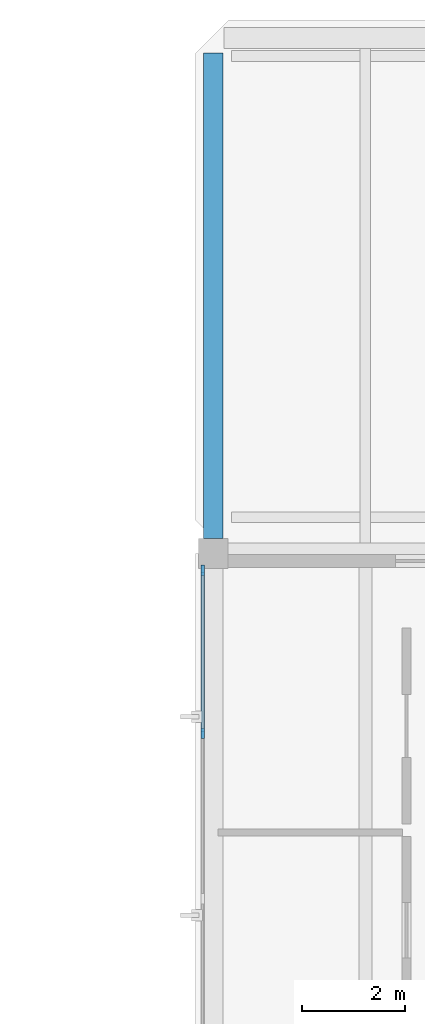
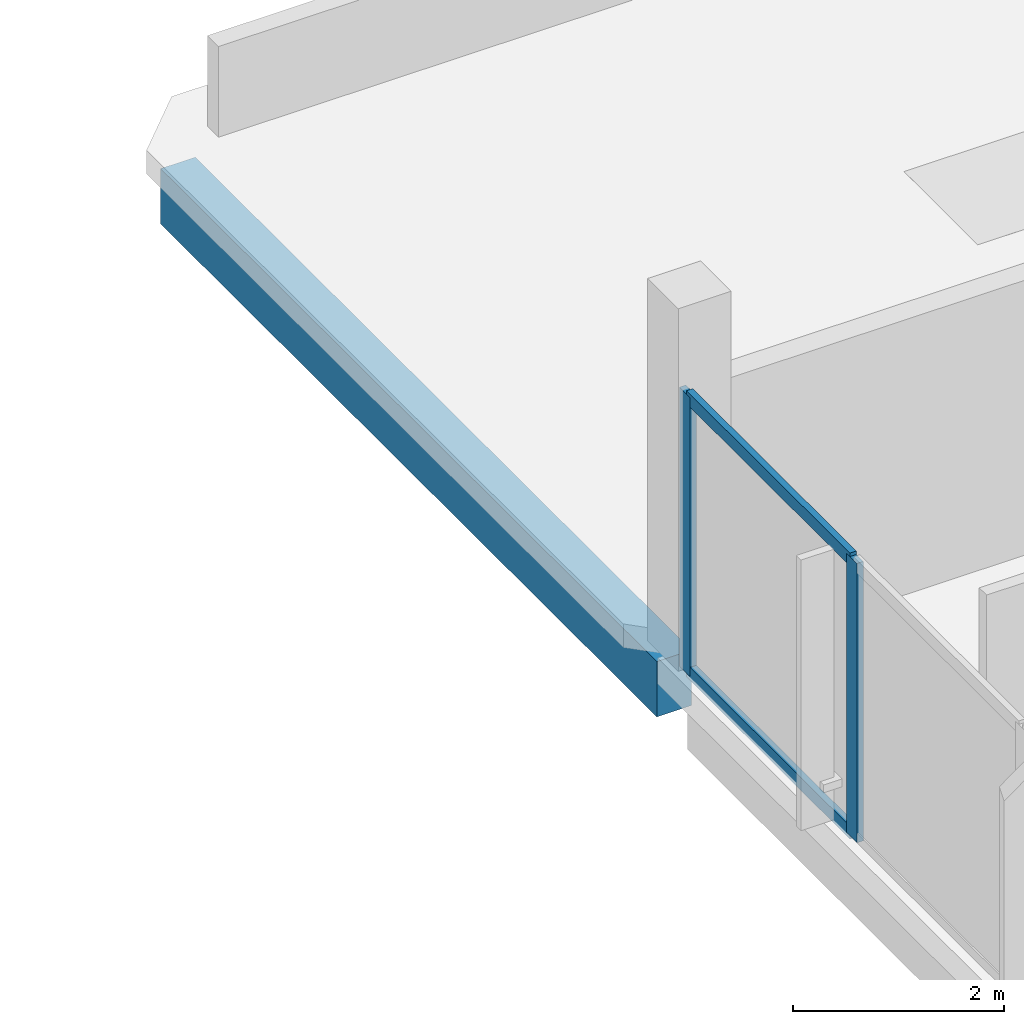
# One storey, part 23 of 66: 4 members, 1 beam, 1 element without a shape of its own.
"""IFC4 building model written with IfcOpenShell, lengths in metres."""

from ifc_helpers import new_model, si_unit, direction, frame, origin, origin_2d, place, context, subcontext, project, spatial, rectangle, extrude, material, layer, layer_set, material_profile, profile_set, type_object, element, aggregate, save


model = new_model("IFC4")

# Units and contexts
model_context = context("Model", 3, precision=1e-05, world=origin(), true_north=direction((0.0, 1.0)))
body_context = subcontext(model_context, "Body", "Model", "MODEL_VIEW")
ifc_project = project(units=[si_unit("LENGTHUNIT", "METRE"), si_unit("AREAUNIT", "SQUARE_METRE"), si_unit("VOLUMEUNIT", "CUBIC_METRE"), si_unit("PLANEANGLEUNIT", "RADIAN"), si_unit("MASSUNIT", "GRAM", prefix="KILO")], contexts=[model_context])

# Site, building, storey
site_placement = place(None, origin())
site = spatial("IfcSite", under=ifc_project, at=site_placement, CompositionType="ELEMENT")
building_placement = place(site_placement, origin())
building = spatial("IfcBuilding", under=site, at=building_placement, Name="Birchvale Park Specialist Clinic", CompositionType="ELEMENT")
storey_placement = place(building_placement, frame((0.0, 0.0, 5.39990234375)))
storey = spatial("IfcBuildingStorey", under=building, at=storey_placement, Name="L01", CompositionType="ELEMENT", Elevation=5.39990234375)

# Beam
ifc_material_1 = material(Name="Concrete C40/50", Category="concrete")
ifc_material_profile_1 = material_profile(ifc_material_1, rectangle(XDim=0.3798828125, YDim=0.639892578125, at=origin_2d()), Name="RCB-380x640")
ifc_profile_set_1 = profile_set([ifc_material_profile_1], Name="Concrete C40/50")
beam_type = type_object("IfcBeamType", Name="BM-EXT-BG5", PredefinedType="BEAM", material=ifc_profile_set_1)
beam_placement = place(storey_placement, frame((128.35009765625, 101.68994140625, -0.594970703125), z_axis=(0.0, 1.0, 0.0), x_axis=(-1.0, 0.0, 0.0)))
element("IfcBeam", 1, at=beam_placement, inside=storey, type_object=beam_type, Name="V6 L01 Y girder 29", PredefinedType="BEAM", context=body_context, shape_type="SweptSolid", body=[
    extrude(rectangle(XDim=0.3798828125, YDim=0.639892578125, at=origin_2d()), origin(), (0.0, 0.0, 1.0), 9.420166015625),
])

# Curtain wall, members
ifc_material_2 = material(Name="Thermally broken anodised aluminium", Category="aluminium")
ifc_layer = layer(ifc_material_2, 0.2099609375)
ifc_layer_set = layer_set([ifc_layer], Name="Thermally broken anodised aluminium")
curtain_wall_type = type_object("IfcCurtainWallType", Name="CW-U3", PredefinedType="USERDEFINED", material=ifc_layer_set)
curtain_wall_placement = place(storey_placement, origin())
curtain_wall = element("IfcCurtainWall", 2, at=curtain_wall_placement, inside=storey, type_object=curtain_wall_type, Name="V6 L01 glazed curtain wall 100", ObjectType="UNITISED", PredefinedType="USERDEFINED")
ifc_material_profile_2 = material_profile(ifc_material_2, rectangle(XDim=0.070068359375, YDim=0.199951171875, at=origin_2d()), Name="CWM-70x200")
ifc_profile_set_2 = profile_set([ifc_material_profile_2], Name="Thermally broken anodised aluminium")
member_type_1 = type_object("IfcMemberType", Name="CWM3", PredefinedType="MULLION", material=ifc_profile_set_2)
member_1_placement = place(storey_placement, frame((128.14501953125, 101.074951171875, 0.0), z_axis=(0.0, 0.0, 1.0), x_axis=(1.0, 0.0, 0.0)))
member_1 = element("IfcMember", 3, at=member_1_placement, type_object=member_type_1, Name="CW mullion 1", PredefinedType="MULLION", context=body_context, shape_type="SweptSolid", body=[
    extrude(rectangle(XDim=0.070068359375, YDim=0.199951171875, at=origin_2d()), origin(), (0.0, 0.0, 1.0), 3.235107421875),
])
member_2_placement = place(storey_placement, frame((128.14501953125, 97.9033203125, 0.0), z_axis=(0.0, 0.0, 1.0), x_axis=(1.0, 0.0, 0.0)))
member_2 = element("IfcMember", 4, at=member_2_placement, type_object=member_type_1, Name="CW mullion 2", PredefinedType="MULLION", context=body_context, shape_type="SweptSolid", body=[
    extrude(rectangle(XDim=0.070068359375, YDim=0.199951171875, at=origin_2d()), origin(), (0.0, 0.0, 1.0), 3.235107421875),
])
ifc_material_profile_3 = material_profile(ifc_material_2, rectangle(XDim=0.070068359375, YDim=0.14990234375, at=origin_2d()), Name="CWT-70x150")
ifc_profile_set_3 = profile_set([ifc_material_profile_3], Name="Thermally broken anodised aluminium")
member_type_2 = type_object("IfcMemberType", Name="CWT3", PredefinedType="USERDEFINED", material=ifc_profile_set_3)
member_3_placement = place(storey_placement, frame((128.14501953125, 101.0400390625, 0.03515625), z_axis=(0.0, -1.0, 0.0), x_axis=(1.0, 0.0, 0.0)))
member_3 = element("IfcMember", 5, at=member_3_placement, type_object=member_type_2, Name="CW transom 1.1", ObjectType="TRANSOM", PredefinedType="USERDEFINED", context=body_context, shape_type="SweptSolid", body=[
    extrude(rectangle(XDim=0.070068359375, YDim=0.14990234375, at=origin_2d()), origin(), (0.0, 0.0, 1.0), 3.101806640625),
])
member_4_placement = place(storey_placement, frame((128.14501953125, 101.0400390625, 3.2001953125), z_axis=(0.0, -1.0, 0.0), x_axis=(1.0, 0.0, 0.0)))
member_4 = element("IfcMember", 6, at=member_4_placement, type_object=member_type_2, Name="CW transom 1.2", ObjectType="TRANSOM", PredefinedType="USERDEFINED", context=body_context, shape_type="SweptSolid", body=[
    extrude(rectangle(XDim=0.070068359375, YDim=0.14990234375, at=origin_2d()), origin(), (0.0, 0.0, 1.0), 3.101806640625),
])
aggregate(curtain_wall, [member_1, member_2, member_3, member_4])

save(model, "model.ifc")
